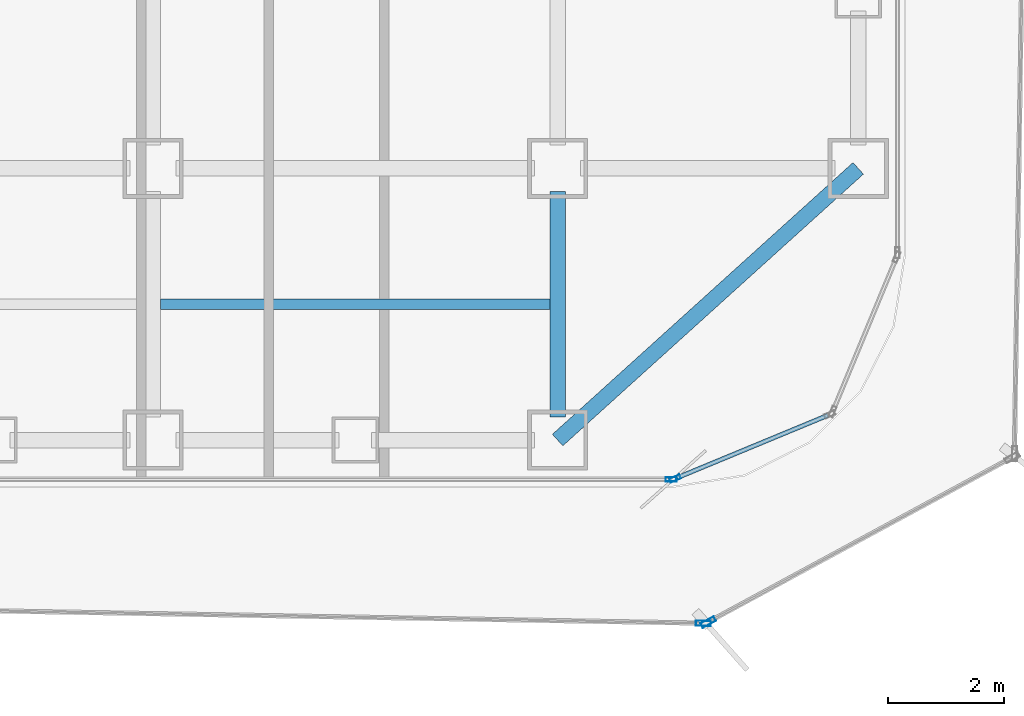
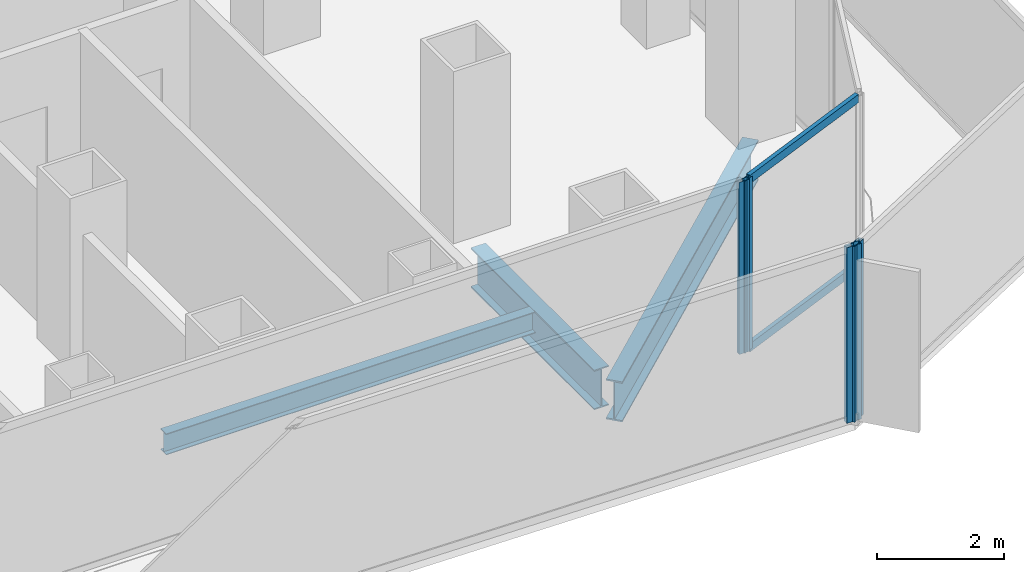
# One storey, part 6 of 22: 6 members, 3 beams, 4 elements without a shape of their own.
"""IFC4 building model written with IfcOpenShell, lengths in metres."""

from ifc_helpers import new_model, si_unit, direction, frame, origin, origin_2d, place, context, subcontext, project, spatial, hollow_rectangle, i_section, extrude, source, transform, mapped, material, layer, layer_set, material_profile, profile_set, type_object, element, aggregate, save


model = new_model("IFC4")

# Units and contexts
model_context = context("Model", 3, precision=1e-05, world=origin(), true_north=direction((0.0, 1.0)))
body_context = subcontext(model_context, "Body", "Model", "MODEL_VIEW")
ifc_project = project(units=[si_unit("LENGTHUNIT", "METRE"), si_unit("AREAUNIT", "SQUARE_METRE"), si_unit("VOLUMEUNIT", "CUBIC_METRE"), si_unit("PLANEANGLEUNIT", "RADIAN"), si_unit("MASSUNIT", "GRAM", prefix="KILO")], contexts=[model_context])

# Site, building, storey
site_placement = place(None, origin())
site = spatial("IfcSite", under=ifc_project, at=site_placement, CompositionType="ELEMENT")
building_placement = place(site_placement, origin())
building = spatial("IfcBuilding", under=site, at=building_placement, Name="Kolveth Station Tower", CompositionType="ELEMENT")
storey_placement = place(building_placement, frame((0.0, 0.0, 54.89990234375)))
storey = spatial("IfcBuildingStorey", under=building, at=storey_placement, Name="L14", CompositionType="ELEMENT", Elevation=54.89990234375)

# Beams
ifc_material_1 = material(Name="Steel S355", Category="steel")
ifc_material_profile_1 = material_profile(ifc_material_1, i_section(OverallWidth=0.26904296875, OverallDepth=0.77490234375, WebThickness=0.01708984375, FlangeThickness=0.0283203125, at=origin_2d()), Name="W760x220")
ifc_profile_set_1 = profile_set([ifc_material_profile_1], Name="Steel S355")
beam_type_1 = type_object("IfcBeamType", Name="Beam_SP1", PredefinedType="SPANDREL", material=ifc_profile_set_1)
shared_shape_1 = source(origin(), body_context, "Body", "SweptSolid", [
    extrude(i_section(OverallWidth=0.26904296875, OverallDepth=0.77490234375, WebThickness=0.01708984375, FlangeThickness=0.0283203125, at=origin_2d()), origin(), (0.0, 0.0, 1.0), 7.00927734375),
])
beam_1_placement = place(storey_placement, frame((41.0, 0.800048828125, -0.66748046875), z_axis=(0.741874009795, 0.670539300557, 0.0), x_axis=(-0.670539300557, 0.741874009795, 0.0)))
element("IfcBeam", 1, at=beam_1_placement, inside=storey, type_object=beam_type_1, Name="L14 Corner Edge Girder BM-L14-CNR-SE", PredefinedType="SPANDREL", context=body_context, shape_type="MappedRepresentation", body=[
    mapped(shared_shape_1, transform((0.0, 0.0, 0.0), x_axis=(1.0, 0.0, 0.0), y_axis=(0.0, 1.0, 0.0), z_axis=(0.0, 0.0, 1.0), scale=1.0)),
])
ifc_material_profile_2 = material_profile(ifc_material_1, i_section(OverallWidth=0.26708984375, OverallDepth=0.76611328125, WebThickness=0.014892578125, FlangeThickness=0.023681640625, at=origin_2d()), Name="W760x185")
ifc_profile_set_2 = profile_set([ifc_material_profile_2], Name="Steel S355")
beam_type_2 = type_object("IfcBeamType", Name="Beam_B3", PredefinedType="BEAM", material=ifc_profile_set_2)
shared_shape_2 = source(origin(), body_context, "Body", "SweptSolid", [
    extrude(i_section(OverallWidth=0.26708984375, OverallDepth=0.76611328125, WebThickness=0.014892578125, FlangeThickness=0.023681640625, at=origin_2d()), origin(), (0.0, 0.0, 1.0), 3.900146484375),
])
beam_2_placement = place(storey_placement, frame((41.0, 1.199951171875, -0.662841796875), z_axis=(0.0, 1.0, 0.0), x_axis=(-1.0, 0.0, 0.0)))
element("IfcBeam", 2, at=beam_2_placement, inside=storey, type_object=beam_type_2, Name="L14 Primary Girder BM-L14-GX410-1", PredefinedType="BEAM", context=body_context, shape_type="MappedRepresentation", body=[
    mapped(shared_shape_2, transform((0.0, 0.0, 0.0), x_axis=(1.0, 0.0, 0.0), y_axis=(0.0, 1.0, 0.0), z_axis=(0.0, 0.0, 1.0), scale=1.0)),
])
ifc_material_profile_3 = material_profile(ifc_material_1, i_section(OverallWidth=0.177978515625, OverallDepth=0.406982421875, WebThickness=0.0078125, FlangeThickness=0.0126953125, at=origin_2d()), Name="W410x60")
ifc_profile_set_3 = profile_set([ifc_material_profile_3], Name="Steel S355")
beam_type_3 = type_object("IfcBeamType", Name="Beam_J1", PredefinedType="JOIST", material=ifc_profile_set_3)
shared_shape_3 = source(origin(), body_context, "Body", "SweptSolid", [
    extrude(i_section(OverallWidth=0.177978515625, OverallDepth=0.406982421875, WebThickness=0.0078125, FlangeThickness=0.0126953125, at=origin_2d()), origin(), (0.0, 0.0, 1.0), 6.73681640625),
])
beam_3_placement = place(storey_placement, frame((34.131591796875, 3.14990234375, -0.4833984375), z_axis=(1.0, 0.0, 0.0), x_axis=(0.0, 1.0, 0.0)))
element("IfcBeam", 3, at=beam_3_placement, inside=storey, type_object=beam_type_3, Name="L14 Secondary Joist JST-L14-6-1", PredefinedType="JOIST", context=body_context, shape_type="MappedRepresentation", body=[
    mapped(shared_shape_3, transform((0.0, 0.0, 0.0), x_axis=(1.0, 0.0, 0.0), y_axis=(0.0, 1.0, 0.0), z_axis=(0.0, 0.0, 1.0), scale=1.0)),
])

# Curtain wall, member
ifc_material_2 = material(Name="Aluminium 6063-T6 and low-E dark glass", Category="aluminium")
ifc_layer_1 = layer(ifc_material_2, 0.179931640625)
ifc_layer_set_1 = layer_set([ifc_layer_1], Name="Aluminium 6063-T6 and low-E dark glass")
curtain_wall_type_1 = type_object("IfcCurtainWallType", Name="CurtainWall_CW-Z1", PredefinedType="NOTDEFINED", material=ifc_layer_set_1)
curtain_wall_1_placement = place(storey_placement, origin())
curtain_wall_1 = element("IfcCurtainWall", 4, at=curtain_wall_1_placement, inside=storey, type_object=curtain_wall_type_1, Name="L14 Inner Thermal Curtain Wall 1", PredefinedType="NOTDEFINED")
ifc_material_3 = material(Name="Black anodized aluminium 6063-T6", Category="aluminium")
ifc_material_profile_4 = material_profile(ifc_material_3, hollow_rectangle(XDim=0.074951171875, YDim=0.18994140625, WallThickness=0.0048828125, at=origin_2d()), Name="ALU-75x190x5")
ifc_profile_set_4 = profile_set([ifc_material_profile_4], Name="Black anodized aluminium 6063-T6")
member_type_1 = type_object("IfcMemberType", Name="Mullion_ML1", PredefinedType="MULLION", material=ifc_profile_set_4)
shared_shape_4 = source(origin(), body_context, "Body", "SweptSolid", [
    extrude(hollow_rectangle(XDim=0.074951171875, YDim=0.18994140625, WallThickness=0.0048828125, at=origin_2d()), origin(), (0.0, 0.0, 1.0), 3.320068359375),
])
member_1_placement = place(storey_placement, frame((43.03466796875, 0.13427734375, 0.0), z_axis=(0.0, 0.0, 1.0), x_axis=(-0.382672990201, 0.923883857728, 0.0)))
member_1 = element("IfcMember", 5, at=member_1_placement, type_object=member_type_1, Name="CW-Z1 mullion 1", PredefinedType="MULLION", context=body_context, shape_type="MappedRepresentation", body=[
    mapped(shared_shape_4, transform((0.0, 0.0, 0.0), x_axis=(1.0, 0.0, 0.0), y_axis=(0.0, 1.0, 0.0), z_axis=(0.0, 0.0, 1.0), scale=1.0)),
])

curtain_wall_2_placement = place(storey_placement, origin())
curtain_wall_2 = element("IfcCurtainWall", 6, at=curtain_wall_2_placement, inside=storey, type_object=curtain_wall_type_1, Name="L14 Inner Thermal Curtain Wall 12", PredefinedType="NOTDEFINED")
member_2_placement = place(storey_placement, frame((42.96240234375, 0.1201171875, 0.0), z_axis=(0.0, 0.0, 1.0), x_axis=(0.0, 1.0, 0.0)))
member_2 = element("IfcMember", 7, at=member_2_placement, type_object=member_type_1, Name="CW-Z1 mullion 3", PredefinedType="MULLION", context=body_context, shape_type="MappedRepresentation", body=[
    mapped(shared_shape_4, transform((0.0, 0.0, 0.0), x_axis=(1.0, 0.0, 0.0), y_axis=(0.0, 1.0, 0.0), z_axis=(0.0, 0.0, 1.0), scale=1.0)),
])
aggregate(curtain_wall_2, [member_2])

# Member
ifc_material_profile_5 = material_profile(ifc_material_3, hollow_rectangle(XDim=0.074951171875, YDim=0.159912109375, WallThickness=0.0048828125, at=origin_2d()), Name="ALU-75x160x5")
ifc_profile_set_5 = profile_set([ifc_material_profile_5], Name="Black anodized aluminium 6063-T6")
member_type_2 = type_object("IfcMemberType", Name="Transom_TR1", PredefinedType="USERDEFINED", material=ifc_profile_set_5)
shared_shape_5 = source(origin(), body_context, "Body", "SweptSolid", [
    extrude(hollow_rectangle(XDim=0.074951171875, YDim=0.159912109375, WallThickness=0.0048828125, at=origin_2d()), origin(), (0.0, 0.0, 1.0), 2.819580078125),
])
member_3_placement = place(storey_placement, frame((43.0693359375, 0.148681640625, 0.03759765625), z_axis=(0.923869084389, 0.382708655389, 0.0), x_axis=(-0.382708655389, 0.923869084389, 0.0)))
member_3 = element("IfcMember", 8, at=member_3_placement, type_object=member_type_2, Name="CW-Z1 transom 1.1", ObjectType="TRANSOM", PredefinedType="USERDEFINED", context=body_context, shape_type="MappedRepresentation", body=[
    mapped(shared_shape_5, transform((0.0, 0.0, 0.0), x_axis=(1.0, 0.0, 0.0), y_axis=(0.0, 1.0, 0.0), z_axis=(0.0, 0.0, 1.0), scale=1.0)),
])

member_4_placement = place(storey_placement, frame((43.0693359375, 0.148681640625, 3.28271484375), z_axis=(0.923869084389, 0.382708655389, 0.0), x_axis=(-0.382708655389, 0.923869084389, 0.0)))
member_4 = element("IfcMember", 9, at=member_4_placement, type_object=member_type_2, Name="CW-Z1 transom 1.2", ObjectType="TRANSOM", PredefinedType="USERDEFINED", context=body_context, shape_type="MappedRepresentation", body=[
    mapped(shared_shape_5, transform((0.0, 0.0, 0.0), x_axis=(1.0, 0.0, 0.0), y_axis=(0.0, 1.0, 0.0), z_axis=(0.0, 0.0, 1.0), scale=1.0)),
])

aggregate(curtain_wall_1, [member_1, member_3, member_4])

# Curtain wall, member
ifc_material_4 = material(Name="Black anodized aluminium 6063-T6 and dark solar glass", Category="aluminium")
ifc_layer_2 = layer(ifc_material_4, 0.159912109375)
ifc_layer_set_2 = layer_set([ifc_layer_2], Name="Black anodized aluminium 6063-T6 and dark solar glass")
curtain_wall_type_2 = type_object("IfcCurtainWallType", Name="OUTER SKIN CW-OS", PredefinedType="NOTDEFINED", material=ifc_layer_set_2)
curtain_wall_3_placement = place(storey_placement, origin())
curtain_wall_3 = element("IfcCurtainWall", 10, at=curtain_wall_3_placement, inside=storey, type_object=curtain_wall_type_2, Name="L14 Outer Ventilated Skin Curtain Wall 1", PredefinedType="NOTDEFINED")
ifc_material_profile_6 = material_profile(ifc_material_3, hollow_rectangle(XDim=0.090087890625, YDim=0.260009765625, WallThickness=0.0048828125, at=origin_2d()), Name="ALU-90x260x5")
ifc_profile_set_6 = profile_set([ifc_material_profile_6], Name="Black anodized aluminium 6063-T6")
member_type_3 = type_object("IfcMemberType", Name="FIN MULLION ML-OS", PredefinedType="MULLION", material=ifc_profile_set_6)
shared_shape_6 = source(origin(), body_context, "Body", "SweptSolid", [
    extrude(hollow_rectangle(XDim=0.090087890625, YDim=0.260009765625, WallThickness=0.0048828125, at=origin_2d()), origin(), (0.0, 0.0, 1.0), 3.39013671875),
])
member_5_placement = place(storey_placement, frame((43.60595703125, -2.35009765625, 0.0), z_axis=(0.0, 0.0, 1.0), x_axis=(-0.476239638256, 0.879315533216, 0.0)))
member_5 = element("IfcMember", 11, at=member_5_placement, type_object=member_type_3, Name="CW-OS mullion 1", PredefinedType="MULLION", context=body_context, shape_type="MappedRepresentation", body=[
    mapped(shared_shape_6, transform((0.0, 0.0, 0.0), x_axis=(1.0, 0.0, 0.0), y_axis=(0.0, 1.0, 0.0), z_axis=(0.0, 0.0, 1.0), scale=1.0)),
])
aggregate(curtain_wall_3, [member_5])

curtain_wall_4_placement = place(storey_placement, origin())
curtain_wall_4 = element("IfcCurtainWall", 12, at=curtain_wall_4_placement, inside=storey, type_object=curtain_wall_type_2, Name="L14 Outer Ventilated Skin Curtain Wall 8", PredefinedType="NOTDEFINED")
member_6_placement = place(storey_placement, frame((43.521484375, -2.37060546875, 0.0), z_axis=(0.0, 0.0, 1.0), x_axis=(0.017338783395, 0.999849671996, 0.0)))
member_6 = element("IfcMember", 13, at=member_6_placement, type_object=member_type_3, Name="CW-OS mullion 2", PredefinedType="MULLION", context=body_context, shape_type="MappedRepresentation", body=[
    mapped(shared_shape_6, transform((0.0, 0.0, 0.0), x_axis=(1.0, 0.0, 0.0), y_axis=(0.0, 1.0, 0.0), z_axis=(0.0, 0.0, 1.0), scale=1.0)),
])
aggregate(curtain_wall_4, [member_6])

save(model, "model.ifc")
